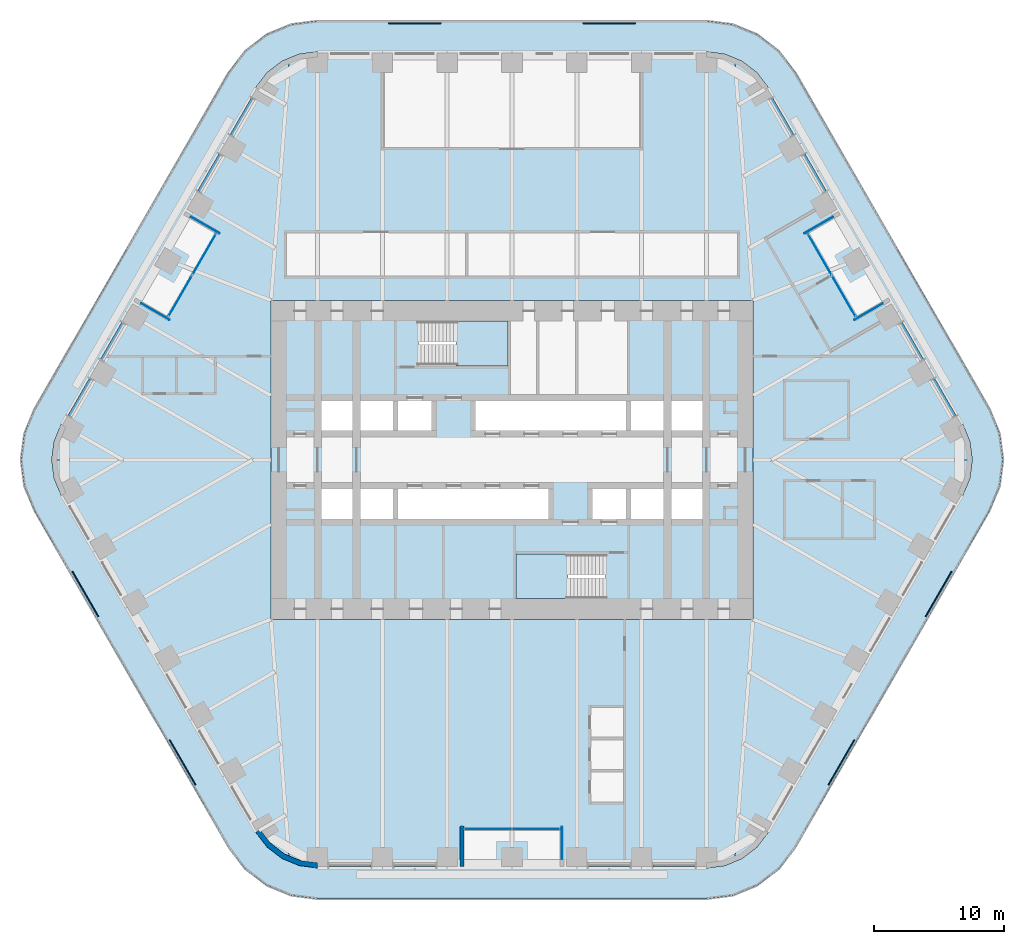
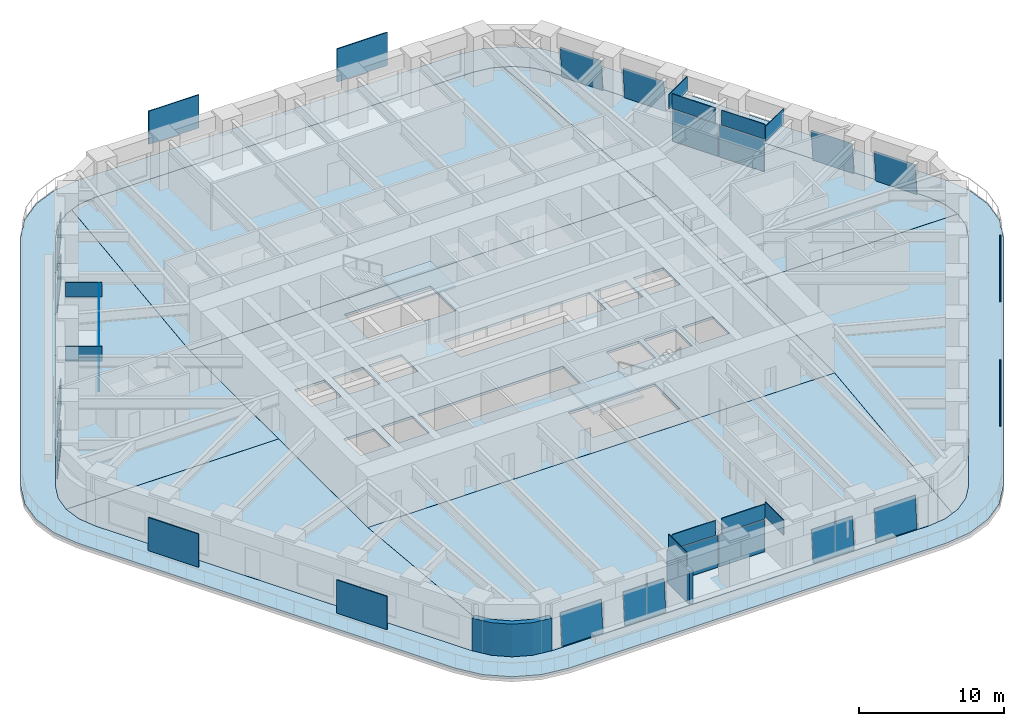
# One storey, part 16 of 24: 36 plates, 10 slabs, 2 walls, 17 elements without a shape of their own.
"""IFC4 building model written with IfcOpenShell, lengths in metres."""

from ifc_helpers import new_model, si_unit, direction, frame, frame_2d, origin, origin_2d, place, context, subcontext, project, spatial, polyline, rectangle, outline, extrude, material, layer, layer_set, type_object, element, aggregate, save


model = new_model("IFC4")

# Units and contexts
model_context = context("Model", 3, precision=1e-05, world=origin(), true_north=direction((0.0, 1.0)))
body_context = subcontext(model_context, "Body", "Model", "MODEL_VIEW")
ifc_project = project(units=[si_unit("LENGTHUNIT", "METRE"), si_unit("AREAUNIT", "SQUARE_METRE"), si_unit("VOLUMEUNIT", "CUBIC_METRE"), si_unit("PLANEANGLEUNIT", "RADIAN"), si_unit("MASSUNIT", "GRAM", prefix="KILO")], contexts=[model_context])

# Site, building, storey
site_placement = place(None, origin())
site = spatial("IfcSite", under=ifc_project, at=site_placement, CompositionType="ELEMENT")
building_placement = place(site_placement, origin())
building = spatial("IfcBuilding", under=site, at=building_placement, Name="Tarfa Lantern Tower", CompositionType="ELEMENT")
storey_placement = place(building_placement, frame((0.0, 0.0, 140.5)))
storey = spatial("IfcBuildingStorey", under=building, at=storey_placement, Name="L31", CompositionType="ELEMENT", Elevation=140.5)

# Slab
ifc_material_1 = material(Name="Concrete C40/50", Category="concrete")
ifc_layer_1 = layer(ifc_material_1, 0.199951171875)
ifc_layer_set_1 = layer_set([ifc_layer_1], Name="BS2 BALCONY SLAB 200")
slab_type_1 = type_object("IfcSlabType", Name="BS2 BALCONY SLAB 200", PredefinedType="FLOOR", material=ifc_layer_set_1)
slab_1_placement = place(storey_placement, frame((0.0, 0.0, -0.199951171875)))
element("IfcSlab", 1, at=slab_1_placement, inside=storey, type_object=slab_type_1, Name="Balcony L31", PredefinedType="FLOOR", context=body_context, shape_type="SweptSolid", body=[
    extrude(outline(polyline([(36.86376953125, 3.949951171875), (21.852783203125, 29.949951171875), (20.59716796875, 31.586181640625), (18.961181640625, 32.841552734375), (17.0556640625, 33.630859375), (15.010986328125, 33.89990234375), (-15.010986328125, 33.89990234375), (-17.0556640625, 33.630859375), (-18.961181640625, 32.841552734375), (-20.59716796875, 31.586181640625), (-21.852783203125, 29.949951171875), (-36.86376953125, 3.949951171875), (-37.653076171875, 2.044677734375), (-37.922119140625, 0.0), (-37.653076171875, -2.044677734375), (-36.86376953125, -3.949951171875), (-21.852783203125, -29.949951171875), (-20.59716796875, -31.586181640625), (-18.961181640625, -32.841552734375), (-17.0556640625, -33.630859375), (-15.010986328125, -33.89990234375), (15.010986328125, -33.89990234375), (17.0556640625, -33.630859375), (18.961181640625, -32.841552734375), (20.59716796875, -31.586181640625), (21.852783203125, -29.949951171875), (36.86376953125, -3.949951171875), (37.653076171875, -2.044677734375), (37.922119140625, 0.0), (37.653076171875, 2.044677734375), (36.86376953125, 3.949951171875)]), holes=[polyline([(34.785400390625, 2.75), (19.774169921875, 28.75), (18.900146484375, 29.88916015625), (17.760986328125, 30.76318359375), (16.4345703125, 31.3125), (15.010986328125, 31.5), (-15.010986328125, 31.5), (-16.4345703125, 31.3125), (-17.760986328125, 30.76318359375), (-18.900146484375, 29.88916015625), (-19.774169921875, 28.75), (-34.785400390625, 2.75), (-35.334716796875, 1.423583984375), (-35.522216796875, 0.0), (-35.334716796875, -1.423583984375), (-34.785400390625, -2.75), (-19.774169921875, -28.75), (-18.900146484375, -29.88916015625), (-17.760986328125, -30.76318359375), (-16.4345703125, -31.3125), (-15.010986328125, -31.5), (15.010986328125, -31.5), (16.4345703125, -31.3125), (17.760986328125, -30.76318359375), (18.900146484375, -29.88916015625), (19.774169921875, -28.75), (34.785400390625, -2.75), (35.334716796875, -1.423583984375), (35.522216796875, 0.0), (35.334716796875, 1.423583984375), (34.785400390625, 2.75)])]), origin(), (0.0, 0.0, 1.0), 0.199951171875),
])

# Curtain wall, plate
ifc_material_2 = material(Name="Aluminium framed curtain wall", Category="aluminium")
curtain_wall_type_1 = type_object("IfcCurtainWallType", Name="CW2 CANTED GLAZING MID ZONE 2750", PredefinedType="USERDEFINED", material=ifc_material_2)
curtain_wall_1_placement = place(storey_placement, origin())
curtain_wall_1 = element("IfcCurtainWall", 2, at=curtain_wall_1_placement, inside=storey, type_object=curtain_wall_type_1, Name="CW2 NE L31", ObjectType="CURTAIN WALL", PredefinedType="USERDEFINED")
ifc_material_3 = material(Name="Laminated double glazing", Category="glass")
ifc_layer_2 = layer(ifc_material_3, 0.028076171875)
ifc_layer_set_2 = layer_set([ifc_layer_2], Name="CWP1 DOUBLE GLAZED PANEL")
plate_type_1 = type_object("IfcPlateType", Name="CWP1 DOUBLE GLAZED PANEL", PredefinedType="CURTAIN_PANEL", material=ifc_layer_set_2)
plate_1_placement = place(storey_placement, frame((34.266357421875, 3.44921875, 0.0), z_axis=(0.862441677575, 0.497990996223, 0.09055009919), x_axis=(-0.500045231271, 0.865999287923, 0.0)))
plate_1 = element("IfcPlate", 3, at=plate_1_placement, type_object=plate_type_1, Name="CW2 panel 1.1", PredefinedType="CURTAIN_PANEL", context=body_context, shape_type="SweptSolid", body=[
    extrude(outline(polyline([(0.0, 0.0), (3.2736296403891254, -2.7755575615628914e-17), (3.273639290369484, 2.696134580088432), (9.64998035858606e-06, 2.696134580088432), (0.0, 0.0)])), origin(), (0.0, 0.0, -1.0), 0.028076171875),
])
aggregate(curtain_wall_1, [plate_1])

curtain_wall_2_placement = place(storey_placement, origin())
curtain_wall_2 = element("IfcCurtainWall", 4, at=curtain_wall_2_placement, inside=storey, type_object=curtain_wall_type_1, Name="CW2 NE L31", ObjectType="CURTAIN WALL", PredefinedType="USERDEFINED")
plate_2_placement = place(storey_placement, frame((31.764404296875, 7.782470703125, 0.0), z_axis=(0.862479387985, 0.497932752669, 0.090511209914), x_axis=(-0.499985201727, 0.866033947398, 2.910741e-06)))
plate_2 = element("IfcPlate", 5, at=plate_2_placement, type_object=plate_type_1, Name="CW2 panel 1.1", PredefinedType="CURTAIN_PANEL", context=body_context, shape_type="SweptSolid", body=[
    extrude(outline(polyline([(0.0, 0.0), (3.2738410665798376, 0.0), (3.273719542684435, 2.696115441250439), (5.428042382078573e-07, 2.696134578050012), (0.0, 0.0)])), origin(), (0.0, 0.0, -1.0), 0.028076171875),
])
aggregate(curtain_wall_2, [plate_2])

curtain_wall_3_placement = place(storey_placement, origin())
curtain_wall_3 = element("IfcCurtainWall", 6, at=curtain_wall_3_placement, inside=storey, type_object=curtain_wall_type_1, Name="CW2 NEB L31", ObjectType="CURTAIN WALL", PredefinedType="USERDEFINED")
plate_3_placement = place(storey_placement, frame((24.2587890625, 20.782470703125, 0.0), z_axis=(0.862492405459, 0.49790313323, 0.090550099086), x_axis=(-0.499957005835, 0.866050225054, 0.0)))
plate_3 = element("IfcPlate", 7, at=plate_3_placement, type_object=plate_type_1, Name="CW2 panel 1.1", PredefinedType="CURTAIN_PANEL", context=body_context, shape_type="SweptSolid", body=[
    extrude(outline(polyline([(0.0, 0.0), (3.273719001629088, 0.0), (3.2737037805661293, 2.6961345800627363), (-1.5221062958495346e-05, 2.6961345800627363), (0.0, 0.0)])), origin(), (0.0, 0.0, -1.0), 0.028076171875),
])
aggregate(curtain_wall_3, [plate_3])

curtain_wall_4_placement = place(storey_placement, origin())
curtain_wall_4 = element("IfcCurtainWall", 8, at=curtain_wall_4_placement, inside=storey, type_object=curtain_wall_type_1, Name="CW2 NEB L31", ObjectType="CURTAIN WALL", PredefinedType="USERDEFINED")
plate_4_placement = place(storey_placement, frame((21.757080078125, 25.11572265625, 0.0), z_axis=(0.862460247027, 0.49795883547, 0.09055009926), x_axis=(-0.500012937857, 0.86601793398, 0.0)))
plate_4 = element("IfcPlate", 9, at=plate_4_placement, type_object=plate_type_1, Name="CW2 panel 1.1", PredefinedType="CURTAIN_PANEL", context=body_context, shape_type="SweptSolid", body=[
    extrude(outline(polyline([(0.0, 0.0), (3.2738410682727324, -2.7755575615628914e-17), (3.27384161446276, 2.6961345801056464), (5.461900275667914e-07, 2.6961345801056464), (0.0, 0.0)])), origin(), (0.0, 0.0, -1.0), 0.028076171875),
])
aggregate(curtain_wall_4, [plate_4])

# Curtain wall, plates
curtain_wall_type_2 = type_object("IfcCurtainWallType", Name="CW10 LOGGIA GLAZING 2750", PredefinedType="USERDEFINED", material=ifc_material_2)
curtain_wall_5_placement = place(storey_placement, origin())
curtain_wall_5 = element("IfcCurtainWall", 10, at=curtain_wall_5_placement, inside=storey, type_object=curtain_wall_type_2, Name="CW10 NEL L31", ObjectType="CURTAIN WALL", PredefinedType="USERDEFINED")
plate_5_placement = place(storey_placement, frame((25.599609375, 12.660400390625, 0.0), z_axis=(0.0, 0.0, 1.0), x_axis=(-0.5, 0.866025403784, 0.0)))
plate_5 = element("IfcPlate", 11, at=plate_5_placement, type_object=plate_type_1, Name="CW10 panel 1.1", PredefinedType="CURTAIN_PANEL", context=body_context, shape_type="SweptSolid", body=[
    extrude(rectangle(XDim=3.606201171875, YDim=0.028076171875, at=origin_2d()), origin(), (0.0, 0.0, 1.0), 2.68505859375),
])
plate_6_placement = place(storey_placement, frame((23.763916015625, 15.839599609375, 0.0), z_axis=(0.0, 0.0, 1.0), x_axis=(-0.5, 0.866025403784, 0.0)))
plate_6 = element("IfcPlate", 12, at=plate_6_placement, type_object=plate_type_1, Name="CW10 panel 2.1", PredefinedType="CURTAIN_PANEL", context=body_context, shape_type="SweptSolid", body=[
    extrude(rectangle(XDim=3.606201171875, YDim=0.028076171875, at=origin_2d()), origin(), (0.0, 0.0, 1.0), 2.68505859375),
])
aggregate(curtain_wall_5, [plate_5, plate_6])

# Curtain wall, plate
curtain_wall_6_placement = place(storey_placement, origin())
curtain_wall_6 = element("IfcCurtainWall", 13, at=curtain_wall_6_placement, inside=storey, type_object=curtain_wall_type_1, Name="CW2 NW L31", ObjectType="CURTAIN WALL", PredefinedType="USERDEFINED")
plate_7_placement = place(storey_placement, frame((-20.1201171875, 27.950927734375, 0.0), z_axis=(-0.862460247027, 0.49795883547, 0.09055009926), x_axis=(-0.500012937857, -0.86601793398, 0.0)))
plate_7 = element("IfcPlate", 14, at=plate_7_placement, type_object=plate_type_1, Name="CW2 panel 1.1", PredefinedType="CURTAIN_PANEL", context=body_context, shape_type="SweptSolid", body=[
    extrude(outline(polyline([(0.0, 0.0), (3.2738410682727324, 2.7755575615628914e-17), (3.273840522082705, 2.6961345801056464), (-5.461900275667914e-07, 2.6961345801056464), (0.0, 0.0)])), origin(), (0.0, 0.0, -1.0), 0.028076171875),
])
aggregate(curtain_wall_6, [plate_7])

curtain_wall_7_placement = place(storey_placement, origin())
curtain_wall_7 = element("IfcCurtainWall", 15, at=curtain_wall_7_placement, inside=storey, type_object=curtain_wall_type_1, Name="CW2 NW L31", ObjectType="CURTAIN WALL", PredefinedType="USERDEFINED")
plate_8_placement = place(storey_placement, frame((-22.6220703125, 23.61767578125, 0.0), z_axis=(-0.862492405459, 0.49790313323, 0.090550099086), x_axis=(-0.499957005835, -0.866050225054, 0.0)))
plate_8 = element("IfcPlate", 16, at=plate_8_placement, type_object=plate_type_1, Name="CW2 panel 1.1", PredefinedType="CURTAIN_PANEL", context=body_context, shape_type="SweptSolid", body=[
    extrude(outline(polyline([(0.0, 0.0), (3.273719001629088, 0.0), (3.2737342226920463, 2.6961345800627363), (1.5221062958495346e-05, 2.6961345800627363), (0.0, 0.0)])), origin(), (0.0, 0.0, -1.0), 0.028076171875),
])
aggregate(curtain_wall_7, [plate_8])

curtain_wall_8_placement = place(storey_placement, origin())
curtain_wall_8 = element("IfcCurtainWall", 17, at=curtain_wall_8_placement, inside=storey, type_object=curtain_wall_type_1, Name="CW2 NWB L31", ObjectType="CURTAIN WALL", PredefinedType="USERDEFINED")
plate_9_placement = place(storey_placement, frame((-30.12744140625, 10.61767578125, 0.0), z_axis=(-0.862479387985, 0.497932752669, 0.090511209914), x_axis=(-0.499985201727, -0.866033947398, -2.910741e-06)))
plate_9 = element("IfcPlate", 18, at=plate_9_placement, type_object=plate_type_1, Name="CW2 panel 1.1", PredefinedType="CURTAIN_PANEL", context=body_context, shape_type="SweptSolid", body=[
    extrude(outline(polyline([(0.0, 0.0), (3.2738410665798376, 0.0), (3.2738405237755996, 2.696134578050012), (0.00012152389540222507, 2.6961154412504387), (0.0, 0.0)])), origin(), (0.0, 0.0, -1.0), 0.028076171875),
])
aggregate(curtain_wall_8, [plate_9])

curtain_wall_9_placement = place(storey_placement, origin())
curtain_wall_9 = element("IfcCurtainWall", 19, at=curtain_wall_9_placement, inside=storey, type_object=curtain_wall_type_1, Name="CW2 NWB L31", ObjectType="CURTAIN WALL", PredefinedType="USERDEFINED")
plate_10_placement = place(storey_placement, frame((-32.62939453125, 6.2841796875, 0.0), z_axis=(-0.862441677575, 0.497990996223, 0.09055009919), x_axis=(-0.500045231271, -0.865999287923, 0.0)))
plate_10 = element("IfcPlate", 20, at=plate_10_placement, type_object=plate_type_1, Name="CW2 panel 1.1", PredefinedType="CURTAIN_PANEL", context=body_context, shape_type="SweptSolid", body=[
    extrude(outline(polyline([(0.0, 0.0), (3.2736296403891254, 2.7755575615628914e-17), (3.273619990408767, 2.696134580088432), (-9.64998035858606e-06, 2.696134580088432), (0.0, 0.0)])), origin(), (0.0, 0.0, -1.0), 0.028076171875),
])
aggregate(curtain_wall_9, [plate_10])

# Curtain wall, plates
curtain_wall_10_placement = place(storey_placement, origin())
curtain_wall_10 = element("IfcCurtainWall", 21, at=curtain_wall_10_placement, inside=storey, type_object=curtain_wall_type_2, Name="CW10 NWL L31", ObjectType="CURTAIN WALL", PredefinedType="USERDEFINED")
plate_11_placement = place(storey_placement, frame((-23.763916015625, 15.839599609375, 0.0), z_axis=(0.0, 0.0, 1.0), x_axis=(-0.5, -0.866025403784, 0.0)))
plate_11 = element("IfcPlate", 22, at=plate_11_placement, type_object=plate_type_1, Name="CW10 panel 1.1", PredefinedType="CURTAIN_PANEL", context=body_context, shape_type="SweptSolid", body=[
    extrude(rectangle(XDim=3.606201171875, YDim=0.028076171875, at=origin_2d()), origin(), (0.0, 0.0, 1.0), 2.68505859375),
])
plate_12_placement = place(storey_placement, frame((-25.599609375, 12.660400390625, 0.0), z_axis=(0.0, 0.0, 1.0), x_axis=(-0.5, -0.866025403784, 0.0)))
plate_12 = element("IfcPlate", 23, at=plate_12_placement, type_object=plate_type_1, Name="CW10 panel 2.1", PredefinedType="CURTAIN_PANEL", context=body_context, shape_type="SweptSolid", body=[
    extrude(rectangle(XDim=3.606201171875, YDim=0.028076171875, at=origin_2d()), origin(), (0.0, 0.0, 1.0), 2.68505859375),
])
aggregate(curtain_wall_10, [plate_11, plate_12])

# Curtain wall, plate
curtain_wall_11_placement = place(storey_placement, origin())
curtain_wall_11 = element("IfcCurtainWall", 24, at=curtain_wall_11_placement, inside=storey, type_object=curtain_wall_type_1, Name="CW2 S L31", ObjectType="CURTAIN WALL", PredefinedType="USERDEFINED")
plate_13_placement = place(storey_placement, frame((-14.14599609375, -31.39990234375, 0.0), z_axis=(0.0, -0.995899883883, 0.090462264412), x_axis=(1.0, 0.0, 0.0)))
plate_13 = element("IfcPlate", 25, at=plate_13_placement, type_object=plate_type_1, Name="CW2 panel 1.1", PredefinedType="CURTAIN_PANEL", context=body_context, shape_type="SweptSolid", body=[
    extrude(outline(polyline([(0.0, 0.0), (3.273681640625, 0.0), (3.273681640625, 2.6961129699923947), (0.0, 2.6961129699923947), (0.0, 0.0)])), origin(), (0.0, 0.0, -1.0), 0.028076171875),
])
aggregate(curtain_wall_11, [plate_13])

curtain_wall_12_placement = place(storey_placement, origin())
curtain_wall_12 = element("IfcCurtainWall", 26, at=curtain_wall_12_placement, inside=storey, type_object=curtain_wall_type_1, Name="CW2 S L31", ObjectType="CURTAIN WALL", PredefinedType="USERDEFINED")
plate_14_placement = place(storey_placement, frame((-9.142333984375, -31.39990234375, 0.0), z_axis=(0.0, -0.995899883883, 0.090462264412), x_axis=(1.0, 0.0, 0.0)))
plate_14 = element("IfcPlate", 27, at=plate_14_placement, type_object=plate_type_1, Name="CW2 panel 1.1", PredefinedType="CURTAIN_PANEL", context=body_context, shape_type="SweptSolid", body=[
    extrude(outline(polyline([(0.0, 0.0), (3.273681640625, 0.0), (3.273681640625, 2.6961129699923947), (0.0, 2.6961129699923947), (0.0, 0.0)])), origin(), (0.0, 0.0, -1.0), 0.028076171875),
])
aggregate(curtain_wall_12, [plate_14])

curtain_wall_13_placement = place(storey_placement, origin())
curtain_wall_13 = element("IfcCurtainWall", 28, at=curtain_wall_13_placement, inside=storey, type_object=curtain_wall_type_1, Name="CW2 SB L31", ObjectType="CURTAIN WALL", PredefinedType="USERDEFINED")
plate_15_placement = place(storey_placement, frame((5.86865234375, -31.39990234375, 0.0), z_axis=(0.0, -0.995899883883, 0.090462264412), x_axis=(1.0, 0.0, 0.0)))
plate_15 = element("IfcPlate", 29, at=plate_15_placement, type_object=plate_type_1, Name="CW2 panel 1.1", PredefinedType="CURTAIN_PANEL", context=body_context, shape_type="SweptSolid", body=[
    extrude(outline(polyline([(0.0, 0.0), (3.273681640625, 0.0), (3.273681640625, 2.6961129699923947), (0.0, 2.6961129699923947), (0.0, 0.0)])), origin(), (0.0, 0.0, -1.0), 0.028076171875),
])
aggregate(curtain_wall_13, [plate_15])

curtain_wall_14_placement = place(storey_placement, origin())
curtain_wall_14 = element("IfcCurtainWall", 30, at=curtain_wall_14_placement, inside=storey, type_object=curtain_wall_type_1, Name="CW2 SB L31", ObjectType="CURTAIN WALL", PredefinedType="USERDEFINED")
plate_16_placement = place(storey_placement, frame((10.872314453125, -31.39990234375, 0.0), z_axis=(0.0, -0.995899883883, 0.090462264412), x_axis=(1.0, 0.0, 0.0)))
plate_16 = element("IfcPlate", 31, at=plate_16_placement, type_object=plate_type_1, Name="CW2 panel 1.1", PredefinedType="CURTAIN_PANEL", context=body_context, shape_type="SweptSolid", body=[
    extrude(outline(polyline([(0.0, 0.0), (3.273681640625, 0.0), (3.273681640625, 2.6961129699923947), (0.0, 2.6961129699923947), (0.0, 0.0)])), origin(), (0.0, 0.0, -1.0), 0.028076171875),
])
aggregate(curtain_wall_14, [plate_16])

# Curtain wall, plates
curtain_wall_15_placement = place(storey_placement, origin())
curtain_wall_15 = element("IfcCurtainWall", 32, at=curtain_wall_15_placement, inside=storey, type_object=curtain_wall_type_2, Name="CW10 SL L31", ObjectType="CURTAIN WALL", PredefinedType="USERDEFINED")
plate_17_placement = place(storey_placement, frame((-1.835693359375, -28.5, 0.0), z_axis=(0.0, 0.0, 1.0), x_axis=(1.0, 0.0, 0.0)))
plate_17 = element("IfcPlate", 33, at=plate_17_placement, type_object=plate_type_1, Name="CW10 panel 1.1", PredefinedType="CURTAIN_PANEL", context=body_context, shape_type="SweptSolid", body=[
    extrude(rectangle(XDim=3.606201171875, YDim=0.028076171875, at=origin_2d()), origin(), (0.0, 0.0, 1.0), 2.68505859375),
])
plate_18_placement = place(storey_placement, frame((1.835693359375, -28.5, 0.0), z_axis=(0.0, 0.0, 1.0), x_axis=(1.0, 0.0, 0.0)))
plate_18 = element("IfcPlate", 34, at=plate_18_placement, type_object=plate_type_1, Name="CW10 panel 2.1", PredefinedType="CURTAIN_PANEL", context=body_context, shape_type="SweptSolid", body=[
    extrude(rectangle(XDim=3.606201171875, YDim=0.028076171875, at=origin_2d()), origin(), (0.0, 0.0, 1.0), 2.68505859375),
])
aggregate(curtain_wall_15, [plate_17, plate_18])

# Slabs
ifc_layer_3 = layer(ifc_material_1, 0.199951171875)
ifc_layer_set_3 = layer_set([ifc_layer_3], Name="FS1 FLOOR SLAB 200")
slab_type_2 = type_object("IfcSlabType", Name="FS1 FLOOR SLAB 200", PredefinedType="FLOOR", material=ifc_layer_set_3)
slab_2_placement = place(storey_placement, frame((0.0, 0.0, -0.199951171875)))
element("IfcSlab", 35, at=slab_2_placement, inside=storey, type_object=slab_type_2, Name="Floor slab L31", PredefinedType="FLOOR", context=body_context, shape_type="SweptSolid", body=[
    extrude(outline(polyline([(-18.60009765625, -12.300048828125), (18.60009765625, -12.300048828125), (18.60009765625, 12.300048828125), (-18.60009765625, 12.300048828125), (-18.60009765625, -12.300048828125)]), holes=[polyline([(-14.699951171875, 2.25), (-12.300048828125, 2.25), (-12.300048828125, 4.550048828125), (-14.699951171875, 4.550048828125), (-14.699951171875, 2.25)]), polyline([(-11.699951171875, 2.25), (-9.199951171875, 2.25), (-9.199951171875, 4.550048828125), (-11.699951171875, 4.550048828125), (-11.699951171875, 2.25)]), polyline([(-8.800048828125, 2.25), (-6.199951171875, 2.25), (-6.199951171875, 4.550048828125), (-8.800048828125, 4.550048828125), (-8.800048828125, 2.25)]), polyline([(-2.800048828125, 2.25), (8.800048828125, 2.25), (8.800048828125, 4.550048828125), (-2.800048828125, 4.550048828125), (-2.800048828125, 2.25)]), polyline([(9.199951171875, 2.25), (11.699951171875, 2.25), (11.699951171875, 4.550048828125), (9.199951171875, 4.550048828125), (9.199951171875, 2.25)]), polyline([(12.300048828125, 2.25), (14.699951171875, 2.25), (14.699951171875, 4.550048828125), (12.300048828125, 4.550048828125), (12.300048828125, 2.25)]), polyline([(14.699951171875, -2.25), (12.300048828125, -2.25), (12.300048828125, -4.550048828125), (14.699951171875, -4.550048828125), (14.699951171875, -2.25)]), polyline([(11.699951171875, -2.25), (9.199951171875, -2.25), (9.199951171875, -4.550048828125), (11.699951171875, -4.550048828125), (11.699951171875, -2.25)]), polyline([(8.800048828125, -2.25), (6.199951171875, -2.25), (6.199951171875, -4.550048828125), (8.800048828125, -4.550048828125), (8.800048828125, -2.25)]), polyline([(2.800048828125, -2.25), (-8.800048828125, -2.25), (-8.800048828125, -4.550048828125), (2.800048828125, -4.550048828125), (2.800048828125, -2.25)]), polyline([(-9.199951171875, -2.25), (-11.699951171875, -2.25), (-11.699951171875, -4.550048828125), (-9.199951171875, -4.550048828125), (-9.199951171875, -2.25)]), polyline([(-12.300048828125, -2.25), (-14.699951171875, -2.25), (-14.699951171875, -4.550048828125), (-12.300048828125, -4.550048828125), (-12.300048828125, -2.25)]), polyline([(-7.199951171875, 7.25), (-0.300048828125, 7.25), (-0.300048828125, 10.699951171875), (-7.199951171875, 10.699951171875), (-7.199951171875, 7.25)]), polyline([(7.199951171875, -7.25), (0.300048828125, -7.25), (0.300048828125, -10.699951171875), (7.199951171875, -10.699951171875), (7.199951171875, -7.25)])]), origin(), (0.0, 0.0, 1.0), 0.199951171875),
])
slab_3_placement = place(storey_placement, frame((0.0, 0.0, -0.199951171875)))
element("IfcSlab", 36, at=slab_3_placement, inside=storey, type_object=slab_type_2, Name="Floor slab L31 NE bay", PredefinedType="FLOOR", context=body_context, shape_type="SweptSolid", body=[
    extrude(outline(polyline([(34.783447265625, 2.7490234375), (19.7724609375, 28.748779296875), (18.898681640625, 29.8876953125), (17.760009765625, 30.761474609375), (17.19189453125, 30.996826171875), (18.60205078125, 12.300048828125), (18.60205078125, 0.001953125), (35.52001953125, 0.001953125), (35.332763671875, 1.423095703125), (34.783447265625, 2.7490234375)])), origin(), (0.0, 0.0, 1.0), 0.199951171875),
])
slab_4_placement = place(storey_placement, frame((0.0, 0.0, -0.199951171875)))
element("IfcSlab", 37, at=slab_4_placement, inside=storey, type_object=slab_type_2, Name="Floor slab L31 N bay", PredefinedType="FLOOR", context=body_context, shape_type="SweptSolid", body=[
    extrude(outline(polyline([(-18.597900390625, 12.302001953125), (18.597900390625, 12.302001953125), (17.187744140625, 30.99853515625), (16.43408203125, 31.310546875), (15.010986328125, 31.498046875), (-15.010986328125, 31.498046875), (-16.43408203125, 31.310546875), (-17.187744140625, 30.99853515625), (-18.597900390625, 12.302001953125)])), origin(), (0.0, 0.0, 1.0), 0.199951171875),
])
slab_5_placement = place(storey_placement, frame((0.0, 0.0, -0.199951171875)))
element("IfcSlab", 38, at=slab_5_placement, inside=storey, type_object=slab_type_2, Name="Floor slab L31 NW bay", PredefinedType="FLOOR", context=body_context, shape_type="SweptSolid", body=[
    extrude(outline(polyline([(-18.60205078125, 0.001953125), (-18.60205078125, 12.300048828125), (-17.19189453125, 30.996826171875), (-17.760009765625, 30.761474609375), (-18.898681640625, 29.8876953125), (-19.7724609375, 28.748779296875), (-34.783447265625, 2.7490234375), (-35.332763671875, 1.423095703125), (-35.52001953125, 0.001953125), (-18.60205078125, 0.001953125)])), origin(), (0.0, 0.0, 1.0), 0.199951171875),
])
slab_6_placement = place(storey_placement, frame((0.0, 0.0, -0.199951171875)))
element("IfcSlab", 39, at=slab_6_placement, inside=storey, type_object=slab_type_2, Name="Floor slab L31 SW bay", PredefinedType="FLOOR", context=body_context, shape_type="SweptSolid", body=[
    extrude(outline(polyline([(-18.60205078125, -12.300048828125), (-18.60205078125, -0.001953125), (-35.52001953125, -0.001953125), (-35.332763671875, -1.423095703125), (-34.783447265625, -2.7490234375), (-19.7724609375, -28.748779296875), (-18.898681640625, -29.8876953125), (-17.760009765625, -30.761474609375), (-17.19189453125, -30.996826171875), (-18.60205078125, -12.300048828125)])), origin(), (0.0, 0.0, 1.0), 0.199951171875),
])
slab_7_placement = place(storey_placement, frame((0.0, 0.0, -0.199951171875)))
element("IfcSlab", 40, at=slab_7_placement, inside=storey, type_object=slab_type_2, Name="Floor slab L31 S bay", PredefinedType="FLOOR", context=body_context, shape_type="SweptSolid", body=[
    extrude(outline(polyline([(18.597900390625, -12.302001953125), (-18.597900390625, -12.302001953125), (-17.187744140625, -30.99853515625), (-16.43408203125, -31.310546875), (-15.010986328125, -31.498046875), (15.010986328125, -31.498046875), (16.43408203125, -31.310546875), (17.187744140625, -30.99853515625), (18.597900390625, -12.302001953125)])), origin(), (0.0, 0.0, 1.0), 0.199951171875),
])
slab_8_placement = place(storey_placement, frame((0.0, 0.0, -0.199951171875)))
element("IfcSlab", 41, at=slab_8_placement, inside=storey, type_object=slab_type_2, Name="Floor slab L31 SE bay", PredefinedType="FLOOR", context=body_context, shape_type="SweptSolid", body=[
    extrude(outline(polyline([(18.60205078125, -0.001953125), (18.60205078125, -12.300048828125), (17.19189453125, -30.996826171875), (17.760009765625, -30.761474609375), (18.898681640625, -29.8876953125), (19.7724609375, -28.748779296875), (34.783447265625, -2.7490234375), (35.332763671875, -1.423095703125), (35.52001953125, -0.001953125), (18.60205078125, -0.001953125)])), origin(), (0.0, 0.0, 1.0), 0.199951171875),
])

# Plates
ifc_material_4 = material(Name="Aluminium fascia panel", Category="aluminium")
ifc_layer_4 = layer(ifc_material_4, 0.050048828125)
ifc_layer_set_4 = layer_set([ifc_layer_4], Name="LF1 LOGGIA HEAD FASCIA 50")
plate_type_2 = type_object("IfcPlateType", Name="LF1 LOGGIA HEAD FASCIA 50", PredefinedType="USERDEFINED", material=ifc_layer_set_4)
for number, where, z_axis, x_axis, name in (
    (42, (25.670166015625, 12.5380859375, 2.75), (0.0, 0.0, 1.0), (-0.5, 0.866025403784, 0.0), "Loggia head fascia NE"),
    (43, (23.693359375, 15.9619140625, 2.75), (0.0, 0.0, 1.0), (-0.5, 0.866025403784, 0.0), "Loggia head fascia NE"),
):
    element("IfcPlate", number, at=place(storey_placement, frame(where, z_axis=z_axis, x_axis=x_axis)), inside=storey, type_object=plate_type_2, Name=name, ObjectType="FASCIA", PredefinedType="USERDEFINED", context=body_context, shape_type="SweptSolid", body=[
        extrude(rectangle(XDim=3.45361328125, YDim=0.050048828125, at=origin_2d()), origin(), (0.0, 0.0, 1.0), 1.25),
    ])
for number, where, z_axis, x_axis, name in (
    (44, (27.526611328125, 11.442626953125, 2.75), (0.0, 0.0, 1.0), (-0.866025403784, -0.5, 0.0), "Loggia head fascia NE"),
    (45, (23.6728515625, 18.117431640625, 2.75), (0.0, 0.0, 1.0), (-0.866025403784, -0.5, 0.0), "Loggia head fascia NE"),
):
    element("IfcPlate", number, at=place(storey_placement, frame(where, z_axis=z_axis, x_axis=x_axis)), inside=storey, type_object=plate_type_2, Name=name, ObjectType="FASCIA", PredefinedType="USERDEFINED", context=body_context, shape_type="SweptSolid", body=[
        extrude(rectangle(XDim=2.52001953125, YDim=0.050048828125, at=origin_2d()), origin(), (0.0, 0.0, 1.0), 1.25),
    ])
for number, where, z_axis, x_axis, name in (
    (46, (-23.693359375, 15.9619140625, 2.75), (0.0, 0.0, 1.0), (-0.5, -0.866025403784, 0.0), "Loggia head fascia NW"),
    (47, (-25.670166015625, 12.5380859375, 2.75), (0.0, 0.0, 1.0), (-0.5, -0.866025403784, 0.0), "Loggia head fascia NW"),
):
    element("IfcPlate", number, at=place(storey_placement, frame(where, z_axis=z_axis, x_axis=x_axis)), inside=storey, type_object=plate_type_2, Name=name, ObjectType="FASCIA", PredefinedType="USERDEFINED", context=body_context, shape_type="SweptSolid", body=[
        extrude(rectangle(XDim=3.45361328125, YDim=0.050048828125, at=origin_2d()), origin(), (0.0, 0.0, 1.0), 1.25),
    ])
for number, where, z_axis, x_axis, name in (
    (48, (-23.6728515625, 18.117431640625, 2.75), (0.0, 0.0, 1.0), (0.866025403784, -0.5, 0.0), "Loggia head fascia NW"),
    (49, (-27.526611328125, 11.442626953125, 2.75), (0.0, 0.0, 1.0), (0.866025403784, -0.5, 0.0), "Loggia head fascia NW"),
):
    element("IfcPlate", number, at=place(storey_placement, frame(where, z_axis=z_axis, x_axis=x_axis)), inside=storey, type_object=plate_type_2, Name=name, ObjectType="FASCIA", PredefinedType="USERDEFINED", context=body_context, shape_type="SweptSolid", body=[
        extrude(rectangle(XDim=2.52001953125, YDim=0.050048828125, at=origin_2d()), origin(), (0.0, 0.0, 1.0), 1.25),
    ])
for number, where, z_axis, x_axis, name in (
    (50, (-1.976806640625, -28.5, 2.75), (0.0, 0.0, 1.0), (1.0, 0.0, 0.0), "Loggia head fascia S"),
    (51, (1.976806640625, -28.5, 2.75), (0.0, 0.0, 1.0), (1.0, 0.0, 0.0), "Loggia head fascia S"),
):
    element("IfcPlate", number, at=place(storey_placement, frame(where, z_axis=z_axis, x_axis=x_axis)), inside=storey, type_object=plate_type_2, Name=name, ObjectType="FASCIA", PredefinedType="USERDEFINED", context=body_context, shape_type="SweptSolid", body=[
        extrude(rectangle(XDim=3.45361328125, YDim=0.050048828125, at=origin_2d()), origin(), (0.0, 0.0, 1.0), 1.25),
    ])
for number, where, z_axis, x_axis, name in (
    (52, (-3.853759765625, -29.56005859375, 2.75), (0.0, 0.0, 1.0), (0.0, 1.0, 0.0), "Loggia head fascia S"),
    (53, (3.853759765625, -29.56005859375, 2.75), (0.0, 0.0, 1.0), (0.0, 1.0, 0.0), "Loggia head fascia S"),
):
    element("IfcPlate", number, at=place(storey_placement, frame(where, z_axis=z_axis, x_axis=x_axis)), inside=storey, type_object=plate_type_2, Name=name, ObjectType="FASCIA", PredefinedType="USERDEFINED", context=body_context, shape_type="SweptSolid", body=[
        extrude(rectangle(XDim=2.52001953125, YDim=0.050048828125, at=origin_2d()), origin(), (0.0, 0.0, 1.0), 1.25),
    ])
ifc_material_5 = material(Name="Perforated limestone screen", Category="masonry")
ifc_layer_5 = layer(ifc_material_5, 0.080078125)
ifc_layer_set_5 = layer_set([ifc_layer_5], Name="SC1 STONE SCREEN 80")
plate_type_3 = type_object("IfcPlateType", Name="SC1 STONE SCREEN 80", PredefinedType="USERDEFINED", material=ifc_layer_set_5)
for number, where, z_axis, x_axis, name in (
    (54, (7.505615234375, 33.699951171875, 1.2001953125), (0.0, 0.0, 1.0), (-1.0, 0.0, 0.0), "Stone screen N 1"),
    (55, (-7.505615234375, 33.699951171875, 1.2001953125), (0.0, 0.0, 1.0), (-1.0, 0.0, 0.0), "Stone screen N 2"),
    (56, (-32.937744140625, -10.35009765625, 1.2001953125), (0.0, 0.0, 1.0), (0.5, -0.866025403784, 0.0), "Stone screen SW 1"),
    (57, (-25.432373046875, -23.35009765625, 1.2001953125), (0.0, 0.0, 1.0), (0.5, -0.866025403784, 0.0), "Stone screen SW 2"),
    (58, (25.432373046875, -23.35009765625, 1.2001953125), (0.0, 0.0, 1.0), (0.5, 0.866025403784, 0.0), "Stone screen SE 1"),
    (59, (32.937744140625, -10.35009765625, 1.2001953125), (0.0, 0.0, 1.0), (0.5, 0.866025403784, 0.0), "Stone screen SE 2"),
):
    element("IfcPlate", number, at=place(storey_placement, frame(where, z_axis=z_axis, x_axis=x_axis)), inside=storey, type_object=plate_type_3, Name=name, ObjectType="SCREEN", PredefinedType="USERDEFINED", context=body_context, shape_type="SweptSolid", body=[
        extrude(rectangle(XDim=4.0, YDim=0.080078125, at=origin_2d()), origin(), (0.0, 0.0, 1.0), 2.800048828125),
    ])

# Stair, slab
stair_type = type_object("IfcStairType", Name="ST-T10 HALF-TURN STAIR 4200 RISE", PredefinedType="HALF_TURN_STAIR", material=ifc_material_1)
stair_1_placement = place(storey_placement, origin())
stair_1 = element("IfcStair", 60, at=stair_1_placement, inside=storey, type_object=stair_type, Name="Stair ST1", PredefinedType="HALF_TURN_STAIR")
ifc_layer_6 = layer(ifc_material_1, 0.199951171875)
ifc_layer_set_6 = layer_set([ifc_layer_6], Name="SL1 STAIR LANDING 200")
slab_type_3 = type_object("IfcSlabType", Name="SL1 STAIR LANDING 200", PredefinedType="LANDING", material=ifc_layer_set_6)
slab_9_placement = place(storey_placement, frame((0.0, 0.0, 1.89990234375)))
slab_9 = element("IfcSlab", 61, at=slab_9_placement, type_object=slab_type_3, Name="ST1 landing 1", PredefinedType="LANDING", context=body_context, shape_type="SweptSolid", body=[
    extrude(outline(polyline([(-4.320068359375, 7.25), (-0.300048828125, 7.25), (-0.300048828125, 10.699951171875), (-4.320068359375, 10.699951171875), (-4.320068359375, 7.25)])), origin(), (0.0, 0.0, 1.0), 0.2001953125),
])
aggregate(stair_1, [slab_9])

stair_2_placement = place(storey_placement, origin())
stair_2 = element("IfcStair", 62, at=stair_2_placement, inside=storey, type_object=stair_type, Name="Stair ST2", PredefinedType="HALF_TURN_STAIR")
slab_10_placement = place(storey_placement, frame((0.0, 0.0, 1.89990234375)))
slab_10 = element("IfcSlab", 63, at=slab_10_placement, type_object=slab_type_3, Name="ST2 landing 1", PredefinedType="LANDING", context=body_context, shape_type="SweptSolid", body=[
    extrude(outline(polyline([(4.320068359375, -7.25), (0.300048828125, -7.25), (0.300048828125, -10.699951171875), (4.320068359375, -10.699951171875), (4.320068359375, -7.25)])), origin(), (0.0, 0.0, 1.0), 0.2001953125),
])
aggregate(stair_2, [slab_10])

# Walls
ifc_material_6 = material(Name="Limestone cladding on blockwork", Category="masonry")
ifc_layer_7 = layer(ifc_material_6, 0.300048828125)
ifc_layer_set_7 = layer_set([ifc_layer_7], Name="EW1 STONE-CLAD WALL 300")
wall_type_1 = type_object("IfcWallType", Name="EW1 STONE-CLAD WALL 300", PredefinedType="SOLIDWALL", material=ifc_layer_set_7)
wall_1_placement = place(storey_placement, frame((-3.853759765625, -31.39990234375, 0.0), z_axis=(0.0, 0.0, 1.0), x_axis=(0.0, 1.0, 0.0)))
element("IfcWall", 64, at=wall_1_placement, inside=storey, type_object=wall_type_1, Name="Loggia return S 1", PredefinedType="SOLIDWALL", context=body_context, shape_type="SweptSolid", body=[
    extrude(rectangle(XDim=3.099853515625, YDim=0.300048828125, at=frame_2d((1.5498046875, 0.0))), origin(), (0.0, 0.0, 1.0), 2.75),
])
ifc_layer_8 = layer(ifc_material_6, 0.39990234375)
ifc_layer_set_8 = layer_set([ifc_layer_8], Name="EW2 CURVED STONE CORNER 400")
wall_type_2 = type_object("IfcWallType", Name="EW2 CURVED STONE CORNER 400", PredefinedType="SOLIDWALL", material=ifc_layer_set_8)
wall_2_placement = place(storey_placement, origin())
element("IfcWall", 65, at=wall_2_placement, inside=storey, type_object=wall_type_2, Name="Stone corner SW-S", PredefinedType="SOLIDWALL", context=body_context, shape_type="SweptSolid", body=[
    extrude(outline(polyline([(-19.774169921875, -28.75), (-18.900146484375, -29.88916015625), (-17.760986328125, -30.76318359375), (-16.4345703125, -31.3125), (-15.010986328125, -31.5), (-15.010986328125, -31.10009765625), (-16.3310546875, -30.92626953125), (-17.56103515625, -30.416748046875), (-18.617431640625, -29.606201171875), (-19.427734375, -28.550048828125), (-19.774169921875, -28.75)])), origin(), (0.0, 0.0, 1.0), 2.75),
])

save(model, "model.ifc")
